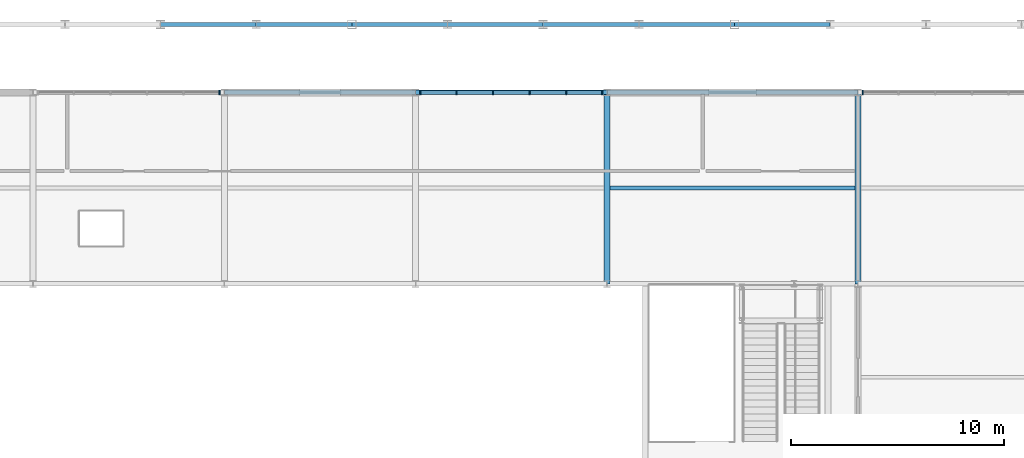
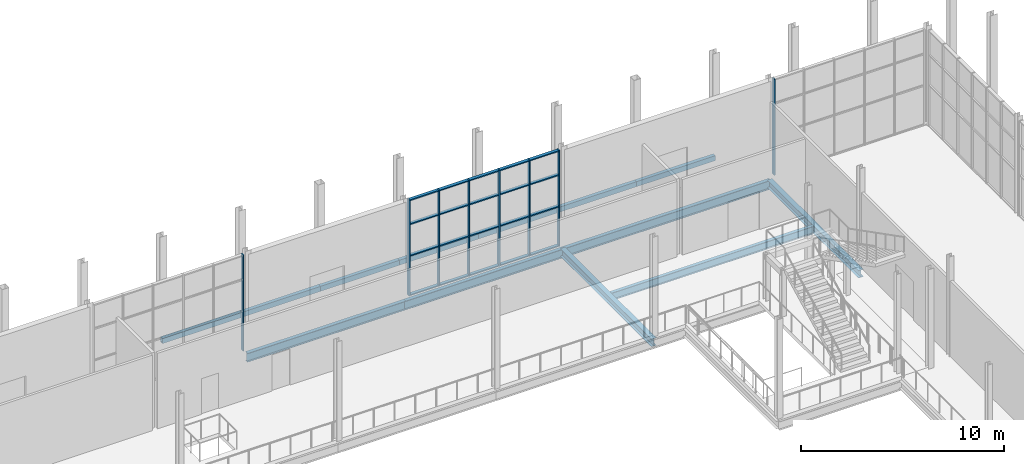
# One storey, part 80 of 159: 28 members, 13 beams, 3 elements without a shape of their own.
"""IFC4 building model written with IfcOpenShell, lengths in metres."""

from ifc_helpers import new_model, si_unit, direction, frame, origin, origin_2d, place, context, subcontext, project, spatial, rectangle, hollow_rectangle, i_section, extrude, material, layer, layer_set, material_profile, profile_set, type_object, element, aggregate, save


model = new_model("IFC4")

# Units and contexts
model_context = context("Model", 3, precision=1e-05, world=origin(), true_north=direction((0.0, 1.0)))
body_context = subcontext(model_context, "Body", "Model", "MODEL_VIEW")
ifc_project = project(units=[si_unit("LENGTHUNIT", "METRE"), si_unit("AREAUNIT", "SQUARE_METRE"), si_unit("VOLUMEUNIT", "CUBIC_METRE"), si_unit("PLANEANGLEUNIT", "RADIAN"), si_unit("MASSUNIT", "GRAM", prefix="KILO")], contexts=[model_context])

# Site, building, storey
site_placement = place(None, origin())
site = spatial("IfcSite", under=ifc_project, at=site_placement, CompositionType="ELEMENT")
building_placement = place(site_placement, origin())
building = spatial("IfcBuilding", under=site, at=building_placement, Name="Cazmaro Siding Exhibition Halls", CompositionType="ELEMENT")
storey_placement = place(building_placement, frame((0.0, 0.0, 6.0)))
storey = spatial("IfcBuildingStorey", under=building, at=storey_placement, Name="L01", CompositionType="ELEMENT", Elevation=6.0)

# Beams
ifc_material_1 = material(Name="Steel ASTM A992 Grade 50", Category="steel")
ifc_material_profile_1 = material_profile(ifc_material_1, i_section(OverallWidth=0.2099609375, OverallDepth=0.535888671875, WebThickness=0.010986328125, FlangeThickness=0.01708984375, at=origin_2d()), Name="W21X68")
ifc_profile_set_1 = profile_set([ifc_material_profile_1], Name="Steel ASTM A992 Grade 50")
beam_type_1 = type_object("IfcBeamType", Name="B-02", PredefinedType="BEAM", material=ifc_profile_set_1)
for number, where, z_axis, x_axis, name in (
    (1, (129.0, 120.800048828125, -0.488037109375), (1.0, 0.0, 0.0), (0.0, 1.0, 0.0), "Beam B-02 BM-0289"),
    (2, (138.0, 120.800048828125, -0.488037109375), (1.0, 0.0, 0.0), (0.0, 1.0, 0.0), "Beam B-02 BM-0292"),
):
    element("IfcBeam", number, at=place(storey_placement, frame(where, z_axis=z_axis, x_axis=x_axis)), inside=storey, type_object=beam_type_1, Name=name, PredefinedType="BEAM", context=body_context, shape_type="SweptSolid", body=[
        extrude(i_section(OverallWidth=0.2099609375, OverallDepth=0.535888671875, WebThickness=0.010986328125, FlangeThickness=0.01708984375, at=origin_2d()), origin(), (0.0, 0.0, 1.0), 9.0),
    ])
beam_1_placement = place(storey_placement, frame((147.0, 120.800048828125, -0.488037109375), z_axis=(1.0, 0.0, 0.0), x_axis=(0.0, 1.0, 0.0)))
element("IfcBeam", 3, at=beam_1_placement, inside=storey, type_object=beam_type_1, Name="Beam B-02 BM-0295", PredefinedType="BEAM", context=body_context, shape_type="SweptSolid", body=[
    extrude(i_section(OverallWidth=0.2099609375, OverallDepth=0.535888671875, WebThickness=0.010986328125, FlangeThickness=0.01708984375, at=origin_2d()), origin(), (0.0, 0.0, 1.0), 11.800048828125),
])
ifc_material_2 = material(Name="Steel ASTM A992 Grade 50", Category="steel")
ifc_material_profile_2 = material_profile(ifc_material_2, i_section(OverallWidth=0.279052734375, OverallDepth=0.4619140625, WebThickness=0.010986328125, FlangeThickness=0.01708984375, at=origin_2d()), Name="W18X76")
ifc_profile_set_2 = profile_set([ifc_material_profile_2], Name="Steel ASTM A992 Grade 50")
beam_type_2 = type_object("IfcBeamType", Name="B-03", PredefinedType="BEAM", material=ifc_profile_set_2)
for number, where, z_axis, x_axis, name in (
    (4, (147.0, 111.800048828125, -0.450927734375), (0.0, 1.0, 0.0), (-1.0, 0.0, 0.0), "Beam B-03 BM-0311"),
    (5, (158.800048828125, 111.800048828125, -0.450927734375), (0.0, 1.0, 0.0), (-1.0, 0.0, 0.0), "Beam B-03 BM-0312"),
):
    element("IfcBeam", number, at=place(storey_placement, frame(where, z_axis=z_axis, x_axis=x_axis)), inside=storey, type_object=beam_type_2, Name=name, PredefinedType="BEAM", context=body_context, shape_type="SweptSolid", body=[
        extrude(i_section(OverallWidth=0.279052734375, OverallDepth=0.4619140625, WebThickness=0.010986328125, FlangeThickness=0.01708984375, at=origin_2d()), origin(), (0.0, 0.0, 1.0), 9.0),
    ])

# Curtain wall, member
ifc_material_3 = material(Name="Anodized Bronze Aluminum and Solar-Control Low-E Glazing", Category="aluminium")
ifc_layer = layer(ifc_material_3, 0.199951171875)
ifc_layer_set = layer_set([ifc_layer], Name="Anodized Bronze Aluminum and Solar-Control Low-E Glazing")
curtain_wall_type = type_object("IfcCurtainWallType", Name="CWS-02", PredefinedType="USERDEFINED", material=ifc_layer_set)
curtain_wall_1_placement = place(storey_placement, origin())
curtain_wall_1 = element("IfcCurtainWall", 6, at=curtain_wall_1_placement, inside=storey, type_object=curtain_wall_type, Name="Glazed Curtain Wall CWS-02 CW-033", ObjectType="GLAZED CURTAIN WALL", PredefinedType="USERDEFINED")
ifc_material_4 = material(Name="Anodized Bronze Extruded Aluminum", Category="aluminium")
ifc_material_profile_3 = material_profile(ifc_material_4, rectangle(XDim=0.199951171875, YDim=0.06494140625, at=origin_2d()), Name="CWM-02")
ifc_profile_set_3 = profile_set([ifc_material_profile_3], Name="Anodized Bronze Extruded Aluminum")
member_type_1 = type_object("IfcMemberType", Name="CWM-02", PredefinedType="MULLION", material=ifc_profile_set_3)
member_1_placement = place(storey_placement, frame((128.7705078125, 120.800048828125, 0.0), z_axis=(0.0, 0.0, 1.0), x_axis=(0.0, -1.0, 0.0)))
member_1 = element("IfcMember", 7, at=member_1_placement, type_object=member_type_1, Name="CWS-02 mullion 1", PredefinedType="MULLION", context=body_context, shape_type="SweptSolid", body=[
    extrude(rectangle(XDim=0.199951171875, YDim=0.06494140625, at=origin_2d()), origin(), (0.0, 0.0, 1.0), 5.780029296875),
])
aggregate(curtain_wall_1, [member_1])

# Curtain wall, members
curtain_wall_2_placement = place(storey_placement, origin())
curtain_wall_2 = element("IfcCurtainWall", 8, at=curtain_wall_2_placement, inside=storey, type_object=curtain_wall_type, Name="Glazed Curtain Wall CWS-02 CW-041", ObjectType="GLAZED CURTAIN WALL", PredefinedType="USERDEFINED")
member_2_placement = place(storey_placement, frame((146.7705078125, 120.800048828125, 0.0), z_axis=(0.0, 0.0, 1.0), x_axis=(0.0, -1.0, 0.0)))
member_2 = element("IfcMember", 9, at=member_2_placement, type_object=member_type_1, Name="CWS-02 mullion 1", PredefinedType="MULLION", context=body_context, shape_type="SweptSolid", body=[
    extrude(rectangle(XDim=0.199951171875, YDim=0.06494140625, at=origin_2d()), origin(), (0.0, 0.0, 1.0), 5.780029296875),
])
member_3_placement = place(storey_placement, frame((145.081787109375, 120.800048828125, 0.0), z_axis=(0.0, 0.0, 1.0), x_axis=(0.0, -1.0, 0.0)))
member_3 = element("IfcMember", 10, at=member_3_placement, type_object=member_type_1, Name="CWS-02 mullion 2", PredefinedType="MULLION", context=body_context, shape_type="SweptSolid", body=[
    extrude(rectangle(XDim=0.199951171875, YDim=0.06494140625, at=origin_2d()), origin(), (0.0, 0.0, 1.0), 5.780029296875),
])
member_4_placement = place(storey_placement, frame((143.360595703125, 120.800048828125, 0.0), z_axis=(0.0, 0.0, 1.0), x_axis=(0.0, -1.0, 0.0)))
member_4 = element("IfcMember", 11, at=member_4_placement, type_object=member_type_1, Name="CWS-02 mullion 3", PredefinedType="MULLION", context=body_context, shape_type="SweptSolid", body=[
    extrude(rectangle(XDim=0.199951171875, YDim=0.06494140625, at=origin_2d()), origin(), (0.0, 0.0, 1.0), 5.780029296875),
])
member_5_placement = place(storey_placement, frame((141.639404296875, 120.800048828125, 0.0), z_axis=(0.0, 0.0, 1.0), x_axis=(0.0, -1.0, 0.0)))
member_5 = element("IfcMember", 12, at=member_5_placement, type_object=member_type_1, Name="CWS-02 mullion 4", PredefinedType="MULLION", context=body_context, shape_type="SweptSolid", body=[
    extrude(rectangle(XDim=0.199951171875, YDim=0.06494140625, at=origin_2d()), origin(), (0.0, 0.0, 1.0), 5.780029296875),
])
member_6_placement = place(storey_placement, frame((139.918212890625, 120.800048828125, 0.0), z_axis=(0.0, 0.0, 1.0), x_axis=(0.0, -1.0, 0.0)))
member_6 = element("IfcMember", 13, at=member_6_placement, type_object=member_type_1, Name="CWS-02 mullion 5", PredefinedType="MULLION", context=body_context, shape_type="SweptSolid", body=[
    extrude(rectangle(XDim=0.199951171875, YDim=0.06494140625, at=origin_2d()), origin(), (0.0, 0.0, 1.0), 5.780029296875),
])
member_7_placement = place(storey_placement, frame((138.2294921875, 120.800048828125, 0.0), z_axis=(0.0, 0.0, 1.0), x_axis=(0.0, -1.0, 0.0)))
member_7 = element("IfcMember", 14, at=member_7_placement, type_object=member_type_1, Name="CWS-02 mullion 6", PredefinedType="MULLION", context=body_context, shape_type="SweptSolid", body=[
    extrude(rectangle(XDim=0.199951171875, YDim=0.06494140625, at=origin_2d()), origin(), (0.0, 0.0, 1.0), 5.780029296875),
])

# Curtain wall, member
curtain_wall_3_placement = place(storey_placement, origin())
curtain_wall_3 = element("IfcCurtainWall", 15, at=curtain_wall_3_placement, inside=storey, type_object=curtain_wall_type, Name="Glazed Curtain Wall CWS-02 CW-048", ObjectType="GLAZED CURTAIN WALL", PredefinedType="USERDEFINED")
member_8_placement = place(storey_placement, frame((159.029541015625, 120.800048828125, 0.0), z_axis=(0.0, 0.0, 1.0), x_axis=(0.0, -1.0, 0.0)))
member_8 = element("IfcMember", 16, at=member_8_placement, type_object=member_type_1, Name="CWS-02 mullion 6", PredefinedType="MULLION", context=body_context, shape_type="SweptSolid", body=[
    extrude(rectangle(XDim=0.199951171875, YDim=0.06494140625, at=origin_2d()), origin(), (0.0, 0.0, 1.0), 5.780029296875),
])
aggregate(curtain_wall_3, [member_8])

# Member
ifc_material_5 = material(Name="Anodized Bronze Extruded Aluminum", Category="aluminium")
ifc_material_profile_4 = material_profile(ifc_material_5, rectangle(XDim=0.179931640625, YDim=0.06494140625, at=origin_2d()), Name="CWT-02")
ifc_profile_set_4 = profile_set([ifc_material_profile_4], Name="Anodized Bronze Extruded Aluminum")
member_type_2 = type_object("IfcMemberType", Name="CWT-02", PredefinedType="MULLION", material=ifc_profile_set_4)
member_9_placement = place(storey_placement, frame((146.738037109375, 120.800048828125, 0.032470703125), z_axis=(-1.0, 0.0, 0.0), x_axis=(0.0, -1.0, 0.0)))
member_9 = element("IfcMember", 17, at=member_9_placement, type_object=member_type_2, Name="CWS-02 transom 1.1", ObjectType="TRANSOM", PredefinedType="USERDEFINED", context=body_context, shape_type="SweptSolid", body=[
    extrude(rectangle(XDim=0.179931640625, YDim=0.06494140625, at=origin_2d()), origin(), (0.0, 0.0, 1.0), 1.623779296875),
])

member_10_placement = place(storey_placement, frame((146.738037109375, 120.800048828125, 2.39990234375), z_axis=(-1.0, 0.0, 0.0), x_axis=(0.0, -1.0, 0.0)))
member_10 = element("IfcMember", 18, at=member_10_placement, type_object=member_type_2, Name="CWS-02 transom 1.2", ObjectType="TRANSOM", PredefinedType="USERDEFINED", context=body_context, shape_type="SweptSolid", body=[
    extrude(rectangle(XDim=0.179931640625, YDim=0.06494140625, at=origin_2d()), origin(), (0.0, 0.0, 1.0), 1.623779296875),
])

member_11_placement = place(storey_placement, frame((146.738037109375, 120.800048828125, 4.300048828125), z_axis=(-1.0, 0.0, 0.0), x_axis=(0.0, -1.0, 0.0)))
member_11 = element("IfcMember", 19, at=member_11_placement, type_object=member_type_2, Name="CWS-02 transom 1.3", ObjectType="TRANSOM", PredefinedType="USERDEFINED", context=body_context, shape_type="SweptSolid", body=[
    extrude(rectangle(XDim=0.179931640625, YDim=0.06494140625, at=origin_2d()), origin(), (0.0, 0.0, 1.0), 1.623779296875),
])

member_12_placement = place(storey_placement, frame((146.738037109375, 120.800048828125, 5.74755859375), z_axis=(-1.0, 0.0, 0.0), x_axis=(0.0, -1.0, 0.0)))
member_12 = element("IfcMember", 20, at=member_12_placement, type_object=member_type_2, Name="CWS-02 transom 1.4", ObjectType="TRANSOM", PredefinedType="USERDEFINED", context=body_context, shape_type="SweptSolid", body=[
    extrude(rectangle(XDim=0.179931640625, YDim=0.06494140625, at=origin_2d()), origin(), (0.0, 0.0, 1.0), 1.623779296875),
])

member_13_placement = place(storey_placement, frame((145.04931640625, 120.800048828125, 0.032470703125), z_axis=(-1.0, 0.0, 0.0), x_axis=(0.0, -1.0, 0.0)))
member_13 = element("IfcMember", 21, at=member_13_placement, type_object=member_type_2, Name="CWS-02 transom 2.1", ObjectType="TRANSOM", PredefinedType="USERDEFINED", context=body_context, shape_type="SweptSolid", body=[
    extrude(rectangle(XDim=0.179931640625, YDim=0.06494140625, at=origin_2d()), origin(), (0.0, 0.0, 1.0), 1.65625),
])

member_14_placement = place(storey_placement, frame((145.04931640625, 120.800048828125, 2.39990234375), z_axis=(-1.0, 0.0, 0.0), x_axis=(0.0, -1.0, 0.0)))
member_14 = element("IfcMember", 22, at=member_14_placement, type_object=member_type_2, Name="CWS-02 transom 2.2", ObjectType="TRANSOM", PredefinedType="USERDEFINED", context=body_context, shape_type="SweptSolid", body=[
    extrude(rectangle(XDim=0.179931640625, YDim=0.06494140625, at=origin_2d()), origin(), (0.0, 0.0, 1.0), 1.65625),
])

member_15_placement = place(storey_placement, frame((145.04931640625, 120.800048828125, 4.300048828125), z_axis=(-1.0, 0.0, 0.0), x_axis=(0.0, -1.0, 0.0)))
member_15 = element("IfcMember", 23, at=member_15_placement, type_object=member_type_2, Name="CWS-02 transom 2.3", ObjectType="TRANSOM", PredefinedType="USERDEFINED", context=body_context, shape_type="SweptSolid", body=[
    extrude(rectangle(XDim=0.179931640625, YDim=0.06494140625, at=origin_2d()), origin(), (0.0, 0.0, 1.0), 1.65625),
])

member_16_placement = place(storey_placement, frame((145.04931640625, 120.800048828125, 5.74755859375), z_axis=(-1.0, 0.0, 0.0), x_axis=(0.0, -1.0, 0.0)))
member_16 = element("IfcMember", 24, at=member_16_placement, type_object=member_type_2, Name="CWS-02 transom 2.4", ObjectType="TRANSOM", PredefinedType="USERDEFINED", context=body_context, shape_type="SweptSolid", body=[
    extrude(rectangle(XDim=0.179931640625, YDim=0.06494140625, at=origin_2d()), origin(), (0.0, 0.0, 1.0), 1.65625),
])

member_17_placement = place(storey_placement, frame((143.328125, 120.800048828125, 0.032470703125), z_axis=(-1.0, 0.0, 0.0), x_axis=(0.0, -1.0, 0.0)))
member_17 = element("IfcMember", 25, at=member_17_placement, type_object=member_type_2, Name="CWS-02 transom 3.1", ObjectType="TRANSOM", PredefinedType="USERDEFINED", context=body_context, shape_type="SweptSolid", body=[
    extrude(rectangle(XDim=0.179931640625, YDim=0.06494140625, at=origin_2d()), origin(), (0.0, 0.0, 1.0), 1.65625),
])

member_18_placement = place(storey_placement, frame((143.328125, 120.800048828125, 2.39990234375), z_axis=(-1.0, 0.0, 0.0), x_axis=(0.0, -1.0, 0.0)))
member_18 = element("IfcMember", 26, at=member_18_placement, type_object=member_type_2, Name="CWS-02 transom 3.2", ObjectType="TRANSOM", PredefinedType="USERDEFINED", context=body_context, shape_type="SweptSolid", body=[
    extrude(rectangle(XDim=0.179931640625, YDim=0.06494140625, at=origin_2d()), origin(), (0.0, 0.0, 1.0), 1.65625),
])

member_19_placement = place(storey_placement, frame((143.328125, 120.800048828125, 4.300048828125), z_axis=(-1.0, 0.0, 0.0), x_axis=(0.0, -1.0, 0.0)))
member_19 = element("IfcMember", 27, at=member_19_placement, type_object=member_type_2, Name="CWS-02 transom 3.3", ObjectType="TRANSOM", PredefinedType="USERDEFINED", context=body_context, shape_type="SweptSolid", body=[
    extrude(rectangle(XDim=0.179931640625, YDim=0.06494140625, at=origin_2d()), origin(), (0.0, 0.0, 1.0), 1.65625),
])

member_20_placement = place(storey_placement, frame((143.328125, 120.800048828125, 5.74755859375), z_axis=(-1.0, 0.0, 0.0), x_axis=(0.0, -1.0, 0.0)))
member_20 = element("IfcMember", 28, at=member_20_placement, type_object=member_type_2, Name="CWS-02 transom 3.4", ObjectType="TRANSOM", PredefinedType="USERDEFINED", context=body_context, shape_type="SweptSolid", body=[
    extrude(rectangle(XDim=0.179931640625, YDim=0.06494140625, at=origin_2d()), origin(), (0.0, 0.0, 1.0), 1.65625),
])

member_21_placement = place(storey_placement, frame((141.60693359375, 120.800048828125, 0.032470703125), z_axis=(-1.0, 0.0, 0.0), x_axis=(0.0, -1.0, 0.0)))
member_21 = element("IfcMember", 29, at=member_21_placement, type_object=member_type_2, Name="CWS-02 transom 4.1", ObjectType="TRANSOM", PredefinedType="USERDEFINED", context=body_context, shape_type="SweptSolid", body=[
    extrude(rectangle(XDim=0.179931640625, YDim=0.06494140625, at=origin_2d()), origin(), (0.0, 0.0, 1.0), 1.65625),
])

member_22_placement = place(storey_placement, frame((141.60693359375, 120.800048828125, 2.39990234375), z_axis=(-1.0, 0.0, 0.0), x_axis=(0.0, -1.0, 0.0)))
member_22 = element("IfcMember", 30, at=member_22_placement, type_object=member_type_2, Name="CWS-02 transom 4.2", ObjectType="TRANSOM", PredefinedType="USERDEFINED", context=body_context, shape_type="SweptSolid", body=[
    extrude(rectangle(XDim=0.179931640625, YDim=0.06494140625, at=origin_2d()), origin(), (0.0, 0.0, 1.0), 1.65625),
])

member_23_placement = place(storey_placement, frame((141.60693359375, 120.800048828125, 4.300048828125), z_axis=(-1.0, 0.0, 0.0), x_axis=(0.0, -1.0, 0.0)))
member_23 = element("IfcMember", 31, at=member_23_placement, type_object=member_type_2, Name="CWS-02 transom 4.3", ObjectType="TRANSOM", PredefinedType="USERDEFINED", context=body_context, shape_type="SweptSolid", body=[
    extrude(rectangle(XDim=0.179931640625, YDim=0.06494140625, at=origin_2d()), origin(), (0.0, 0.0, 1.0), 1.65625),
])

member_24_placement = place(storey_placement, frame((141.60693359375, 120.800048828125, 5.74755859375), z_axis=(-1.0, 0.0, 0.0), x_axis=(0.0, -1.0, 0.0)))
member_24 = element("IfcMember", 32, at=member_24_placement, type_object=member_type_2, Name="CWS-02 transom 4.4", ObjectType="TRANSOM", PredefinedType="USERDEFINED", context=body_context, shape_type="SweptSolid", body=[
    extrude(rectangle(XDim=0.179931640625, YDim=0.06494140625, at=origin_2d()), origin(), (0.0, 0.0, 1.0), 1.65625),
])

member_25_placement = place(storey_placement, frame((139.8857421875, 120.800048828125, 0.032470703125), z_axis=(-1.0, 0.0, 0.0), x_axis=(0.0, -1.0, 0.0)))
member_25 = element("IfcMember", 33, at=member_25_placement, type_object=member_type_2, Name="CWS-02 transom 5.1", ObjectType="TRANSOM", PredefinedType="USERDEFINED", context=body_context, shape_type="SweptSolid", body=[
    extrude(rectangle(XDim=0.179931640625, YDim=0.06494140625, at=origin_2d()), origin(), (0.0, 0.0, 1.0), 1.623779296875),
])

member_26_placement = place(storey_placement, frame((139.8857421875, 120.800048828125, 2.39990234375), z_axis=(-1.0, 0.0, 0.0), x_axis=(0.0, -1.0, 0.0)))
member_26 = element("IfcMember", 34, at=member_26_placement, type_object=member_type_2, Name="CWS-02 transom 5.2", ObjectType="TRANSOM", PredefinedType="USERDEFINED", context=body_context, shape_type="SweptSolid", body=[
    extrude(rectangle(XDim=0.179931640625, YDim=0.06494140625, at=origin_2d()), origin(), (0.0, 0.0, 1.0), 1.623779296875),
])

member_27_placement = place(storey_placement, frame((139.8857421875, 120.800048828125, 4.300048828125), z_axis=(-1.0, 0.0, 0.0), x_axis=(0.0, -1.0, 0.0)))
member_27 = element("IfcMember", 35, at=member_27_placement, type_object=member_type_2, Name="CWS-02 transom 5.3", ObjectType="TRANSOM", PredefinedType="USERDEFINED", context=body_context, shape_type="SweptSolid", body=[
    extrude(rectangle(XDim=0.179931640625, YDim=0.06494140625, at=origin_2d()), origin(), (0.0, 0.0, 1.0), 1.623779296875),
])

member_28_placement = place(storey_placement, frame((139.8857421875, 120.800048828125, 5.74755859375), z_axis=(-1.0, 0.0, 0.0), x_axis=(0.0, -1.0, 0.0)))
member_28 = element("IfcMember", 36, at=member_28_placement, type_object=member_type_2, Name="CWS-02 transom 5.4", ObjectType="TRANSOM", PredefinedType="USERDEFINED", context=body_context, shape_type="SweptSolid", body=[
    extrude(rectangle(XDim=0.179931640625, YDim=0.06494140625, at=origin_2d()), origin(), (0.0, 0.0, 1.0), 1.623779296875),
])

aggregate(curtain_wall_2, [member_2, member_3, member_4, member_5, member_6, member_7, member_9, member_10, member_11, member_12, member_13, member_14, member_15, member_16, member_17, member_18, member_19, member_20, member_21, member_22, member_23, member_24, member_25, member_26, member_27, member_28])

# Beams
ifc_material_6 = material(Name="Steel ASTM A992 Grade 50", Category="steel")
ifc_material_profile_5 = material_profile(ifc_material_6, i_section(OverallWidth=0.19091796875, OverallDepth=0.45703125, WebThickness=0.009033203125, FlangeThickness=0.013916015625, at=origin_2d()), Name="W18X50")
ifc_profile_set_5 = profile_set([ifc_material_profile_5], Name="Steel ASTM A992 Grade 50")
beam_type_3 = type_object("IfcBeamType", Name="J-01", PredefinedType="JOIST", material=ifc_profile_set_5)
beam_2_placement = place(storey_placement, frame((147.139892578125, 116.300048828125, -0.448974609375), z_axis=(1.0, 0.0, 0.0), x_axis=(0.0, 1.0, 0.0)))
element("IfcBeam", 37, at=beam_2_placement, inside=storey, type_object=beam_type_3, Name="Beam J-01 BM-0296", PredefinedType="JOIST", context=body_context, shape_type="SweptSolid", body=[
    extrude(i_section(OverallWidth=0.19091796875, OverallDepth=0.45703125, WebThickness=0.009033203125, FlangeThickness=0.013916015625, at=origin_2d()), origin(), (0.0, 0.0, 1.0), 11.52001953125),
])
ifc_material_7 = material(Name="Steel ASTM A500 Grade C", Category="steel")
ifc_material_profile_6 = material_profile(ifc_material_7, hollow_rectangle(XDim=0.202880859375, YDim=0.304931640625, WallThickness=0.011962890625, at=origin_2d()), Name="HSS12X8X1/2")
ifc_profile_set_6 = profile_set([ifc_material_profile_6], Name="Steel ASTM A500 Grade C")
beam_type_4 = type_object("IfcBeamType", Name="SP-01", PredefinedType="SPANDREL", material=ifc_profile_set_6)
for number, where, z_axis, x_axis, name in (
    (38, (126.0, 124.0, -0.3720703125), (1.0, 0.0, 0.0), (0.0, 1.0, 0.0), "Beam SP-01 BM-0172"),
    (39, (130.5, 124.0, -0.3720703125), (1.0, 0.0, 0.0), (0.0, 1.0, 0.0), "Beam SP-01 BM-0178"),
    (40, (135.0, 124.0, -0.3720703125), (1.0, 0.0, 0.0), (0.0, 1.0, 0.0), "Beam SP-01 BM-0184"),
    (41, (139.5, 124.0, -0.3720703125), (1.0, 0.0, 0.0), (0.0, 1.0, 0.0), "Beam SP-01 BM-0190"),
    (42, (144.0, 124.0, -0.3720703125), (1.0, 0.0, 0.0), (0.0, 1.0, 0.0), "Beam SP-01 BM-0196"),
    (43, (148.5, 124.0, -0.3720703125), (1.0, 0.0, 0.0), (0.0, 1.0, 0.0), "Beam SP-01 BM-0202"),
    (44, (153.0, 124.0, -0.3720703125), (1.0, 0.0, 0.0), (0.0, 1.0, 0.0), "Beam SP-01 BM-0208"),
):
    element("IfcBeam", number, at=place(storey_placement, frame(where, z_axis=z_axis, x_axis=x_axis)), inside=storey, type_object=beam_type_4, Name=name, PredefinedType="SPANDREL", context=body_context, shape_type="SweptSolid", body=[
        extrude(hollow_rectangle(XDim=0.202880859375, YDim=0.304931640625, WallThickness=0.011962890625, at=origin_2d()), origin(), (0.0, 0.0, 1.0), 4.5),
    ])

save(model, "model.ifc")
